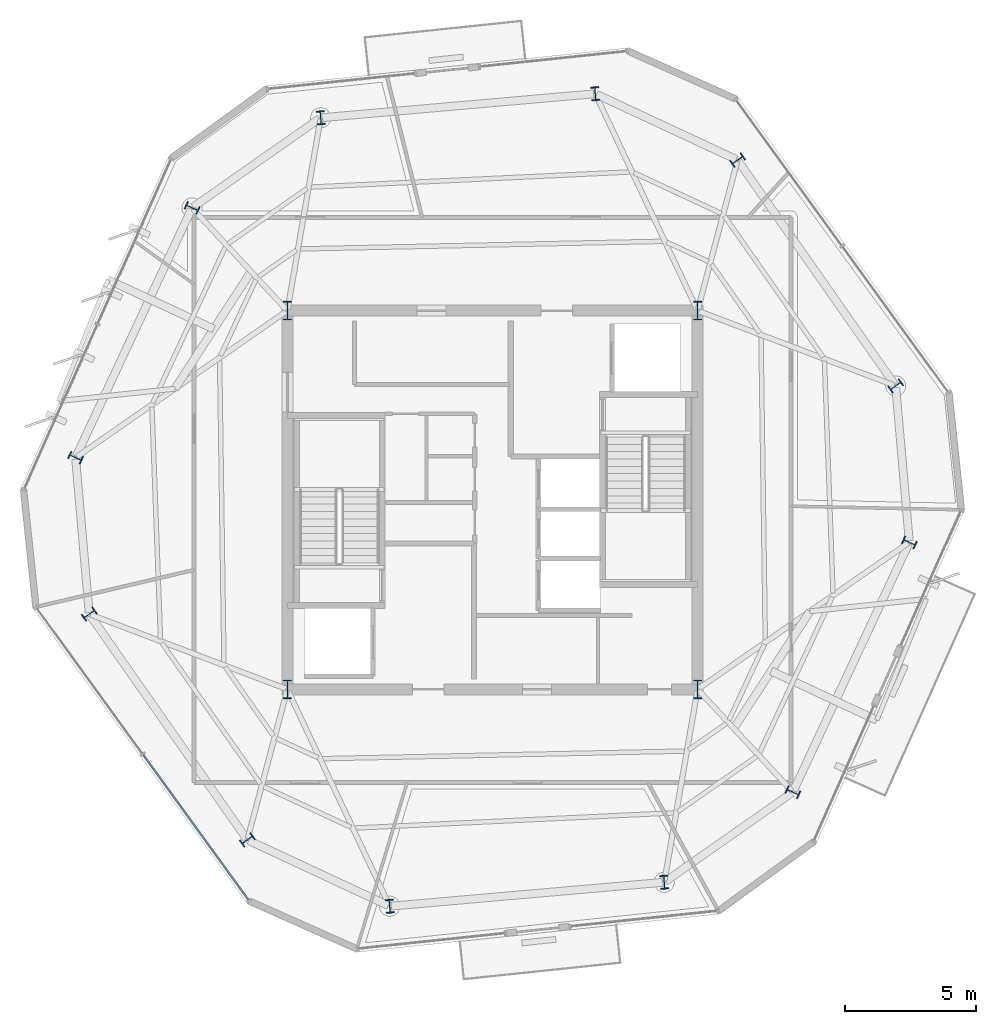
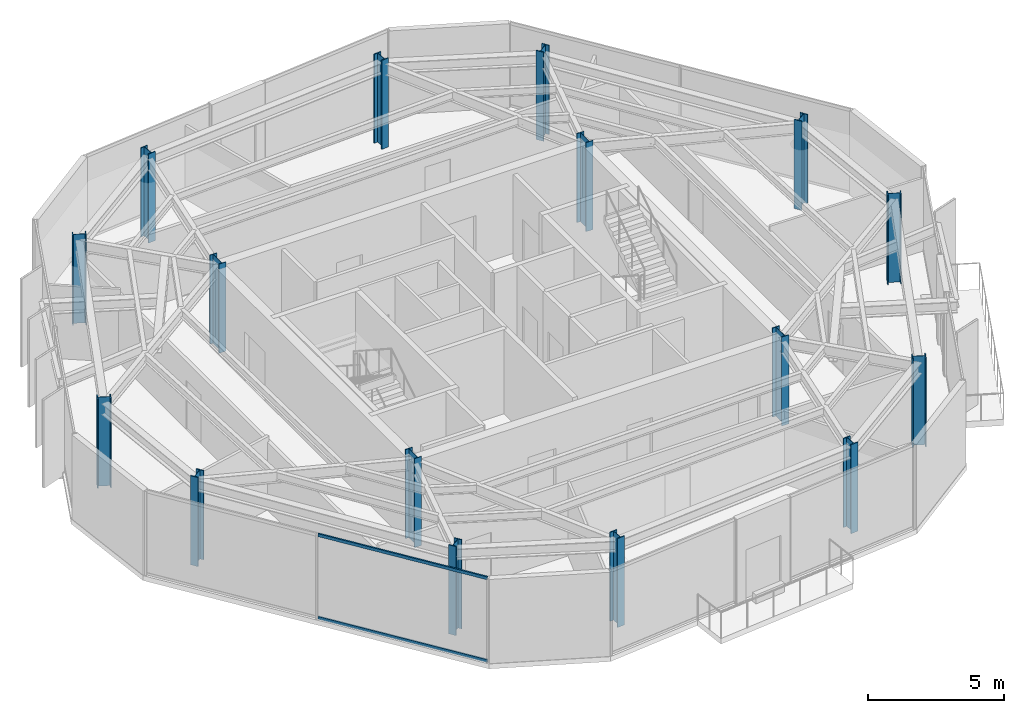
# One storey, part 1 of 11: 16 columns, 2 members, 1 element without a shape of its own.
"""IFC4 building model written with IfcOpenShell, lengths in metres."""

from ifc_helpers import new_model, si_unit, direction, frame, origin, origin_2d, place, context, subcontext, project, spatial, rectangle, i_section, extrude, material, layer, layer_set, material_profile, profile_set, type_object, element, aggregate, save


model = new_model("IFC4")

# Units and contexts
model_context = context("Model", 3, precision=1e-05, world=origin(), true_north=direction((0.0, 1.0)))
body_context = subcontext(model_context, "Body", "Model", "MODEL_VIEW")
ifc_project = project(units=[si_unit("LENGTHUNIT", "METRE"), si_unit("AREAUNIT", "SQUARE_METRE"), si_unit("VOLUMEUNIT", "CUBIC_METRE"), si_unit("PLANEANGLEUNIT", "RADIAN"), si_unit("MASSUNIT", "GRAM", prefix="KILO")], contexts=[model_context])

# Site, building, storey
site_placement = place(None, origin())
site = spatial("IfcSite", under=ifc_project, at=site_placement, CompositionType="ELEMENT")
building_placement = place(site_placement, origin())
building = spatial("IfcBuilding", under=site, at=building_placement, Name="Kranzbogen Civic Tower", CompositionType="ELEMENT")
storey_placement = place(building_placement, frame((0.0, 0.0, 290.199951171875)))
storey = spatial("IfcBuildingStorey", under=building, at=storey_placement, Name="L70", CompositionType="ELEMENT", Elevation=290.199951171875)

# Columns
ifc_material_1 = material(Name="Steel S355", Category="steel")
ifc_material_profile_1 = material_profile(ifc_material_1, i_section(OverallWidth=0.300048828125, OverallDepth=0.699951171875, WebThickness=0.01708984375, FlangeThickness=0.031982421875, at=origin_2d()), Name="HEB 700")
ifc_profile_set_1 = profile_set([ifc_material_profile_1], Name="Steel S355")
column_type_1 = type_object("IfcColumnType", Name="Structural Column HEB 700", PredefinedType="COLUMN", material=ifc_profile_set_1)
for number, where, z_axis, x_axis, name in (
    (1, (17.199951171875, 17.800048828125, 0.0), (0.0, 0.0, 1.0), (1.0, 0.0, 0.0), "L70 composite core corner column 1"),
    (2, (32.800048828125, 17.800048828125, 0.0), (0.0, 0.0, 1.0), (1.0, 0.0, 0.0), "L70 composite core corner column 2"),
    (3, (32.800048828125, 32.199951171875, 0.0), (0.0, 0.0, 1.0), (1.0, 0.0, 0.0), "L70 composite core corner column 3"),
    (4, (17.199951171875, 32.199951171875, 0.0), (0.0, 0.0, 1.0), (1.0, 0.0, 0.0), "L70 composite core corner column 4"),
):
    element("IfcColumn", number, at=place(storey_placement, frame(where, z_axis=z_axis, x_axis=x_axis)), inside=storey, type_object=column_type_1, Name=name, PredefinedType="COLUMN", context=body_context, shape_type="SweptSolid", body=[
        extrude(i_section(OverallWidth=0.300048828125, OverallDepth=0.699951171875, WebThickness=0.01708984375, FlangeThickness=0.031982421875, at=origin_2d()), origin(), (0.0, 0.0, 1.0), 4.0),
    ])
ifc_material_profile_2 = material_profile(ifc_material_1, i_section(OverallWidth=0.305908203125, OverallDepth=0.52392578125, WebThickness=0.02099609375, FlangeThickness=0.0400390625, at=origin_2d()), Name="HEM 500")
ifc_profile_set_2 = profile_set([ifc_material_profile_2], Name="Steel S355")
column_type_2 = type_object("IfcColumnType", Name="Structural Column HEM 500", PredefinedType="COLUMN", material=ifc_profile_set_2)
for number, where, z_axis, x_axis, name in (
    (5, (28.908935546875, 40.449951171875, 0.0), (0.0, 0.0, 1.0), (0.996194698092, 0.087155742748, 0.0), "L70 tower perimeter tube column 01"),
    (6, (18.467041015625, 39.535888671875, 0.0), (0.0, 0.0, 1.0), (0.996194698092, 0.087155742748, 0.0), "L70 tower perimeter tube column 02"),
    (7, (13.574951171875, 36.110107421875, 0.0), (0.0, 0.0, 1.0), (0.422618261741, 0.906307787037, 0.0), "L70 tower perimeter tube column 03"),
    (8, (9.14501953125, 26.610107421875, 0.0), (0.0, 0.0, 1.0), (0.422618261741, 0.906307787037, 0.0), "L70 tower perimeter tube column 04"),
    (9, (9.666015625, 20.660888671875, 0.0), (0.0, 0.0, 1.0), (-0.573576436351, 0.819152044289, 0.0), "L70 tower perimeter tube column 05"),
    (10, (15.677978515625, 12.073974609375, 0.0), (0.0, 0.0, 1.0), (-0.573576436351, 0.819152044289, 0.0), "L70 tower perimeter tube column 06"),
    (11, (21.091064453125, 9.550048828125, 0.0), (0.0, 0.0, 1.0), (0.996194698092, 0.087155742748, 0.0), "L70 tower perimeter tube column 07"),
    (12, (31.532958984375, 10.464111328125, 0.0), (0.0, 0.0, 1.0), (0.996194698092, 0.087155742748, 0.0), "L70 tower perimeter tube column 08"),
    (13, (36.425048828125, 13.889892578125, 0.0), (0.0, 0.0, 1.0), (0.422618261741, 0.906307787037, 0.0), "L70 tower perimeter tube column 09"),
    (14, (40.85498046875, 23.389892578125, 0.0), (0.0, 0.0, 1.0), (0.422618261741, 0.906307787037, 0.0), "L70 tower perimeter tube column 10"),
    (15, (40.333984375, 29.339111328125, 0.0), (0.0, 0.0, 1.0), (-0.573576436351, 0.819152044289, 0.0), "L70 tower perimeter tube column 11"),
    (16, (34.322021484375, 37.926025390625, 0.0), (0.0, 0.0, 1.0), (-0.573576436351, 0.819152044289, 0.0), "L70 tower perimeter tube column 12"),
):
    element("IfcColumn", number, at=place(storey_placement, frame(where, z_axis=z_axis, x_axis=x_axis)), inside=storey, type_object=column_type_2, Name=name, PredefinedType="COLUMN", context=body_context, shape_type="SweptSolid", body=[
        extrude(i_section(OverallWidth=0.305908203125, OverallDepth=0.52392578125, WebThickness=0.02099609375, FlangeThickness=0.0400390625, at=origin_2d()), origin(), (0.0, 0.0, 1.0), 4.0),
    ])

# Curtain wall, members
ifc_material_2 = material(Name="Pale Anodised Aluminium", Category="aluminium")
ifc_layer = layer(ifc_material_2, 0.219970703125, Name="Pale Anodised Aluminium")
ifc_layer_set = layer_set([ifc_layer], Name="Pale Anodised Aluminium")
curtain_wall_type = type_object("IfcCurtainWallType", Name="Zone 4 Stick Curtain Wall System CW-05", PredefinedType="USERDEFINED", material=ifc_layer_set)
curtain_wall_placement = place(storey_placement, origin())
curtain_wall = element("IfcCurtainWall", 17, at=curtain_wall_placement, inside=storey, type_object=curtain_wall_type, Name="L70 curtain wall CW-L70-F3", ObjectType="STICK CURTAIN WALL", PredefinedType="USERDEFINED")
ifc_material_profile_3 = material_profile(ifc_material_2, rectangle(XDim=0.06494140625, YDim=0.135009765625, at=origin_2d()), Name="ALU-T 65x135")
ifc_profile_set_3 = profile_set([ifc_material_profile_3], Name="Pale Anodised Aluminium")
member_type = type_object("IfcMemberType", Name="Curtain Wall Transom ALU-T 65x135", PredefinedType="USERDEFINED", material=ifc_profile_set_3)
member_1_placement = place(storey_placement, frame((11.7197265625, 15.314208984375, 0.030029296875), z_axis=(0.587752462123, -0.809040816812, 0.0), x_axis=(0.809040816812, 0.587752462123, 0.0)))
member_1 = element("IfcMember", 18, at=member_1_placement, type_object=member_type, Name="CW-05 transom 2.1", ObjectType="TRANSOM", PredefinedType="USERDEFINED", context=body_context, shape_type="SweptSolid", body=[
    extrude(rectangle(XDim=0.06494140625, YDim=0.135009765625, at=origin_2d()), origin(), (0.0, 0.0, 1.0), 6.822509765625),
])
member_2_placement = place(storey_placement, frame((11.7197265625, 15.314208984375, 3.75), z_axis=(0.587752462123, -0.809040816812, 0.0), x_axis=(0.809040816812, 0.587752462123, 0.0)))
member_2 = element("IfcMember", 19, at=member_2_placement, type_object=member_type, Name="CW-05 transom 2.2", ObjectType="TRANSOM", PredefinedType="USERDEFINED", context=body_context, shape_type="SweptSolid", body=[
    extrude(rectangle(XDim=0.06494140625, YDim=0.135009765625, at=origin_2d()), origin(), (0.0, 0.0, 1.0), 6.822509765625),
])
aggregate(curtain_wall, [member_1, member_2])

save(model, "model.ifc")
